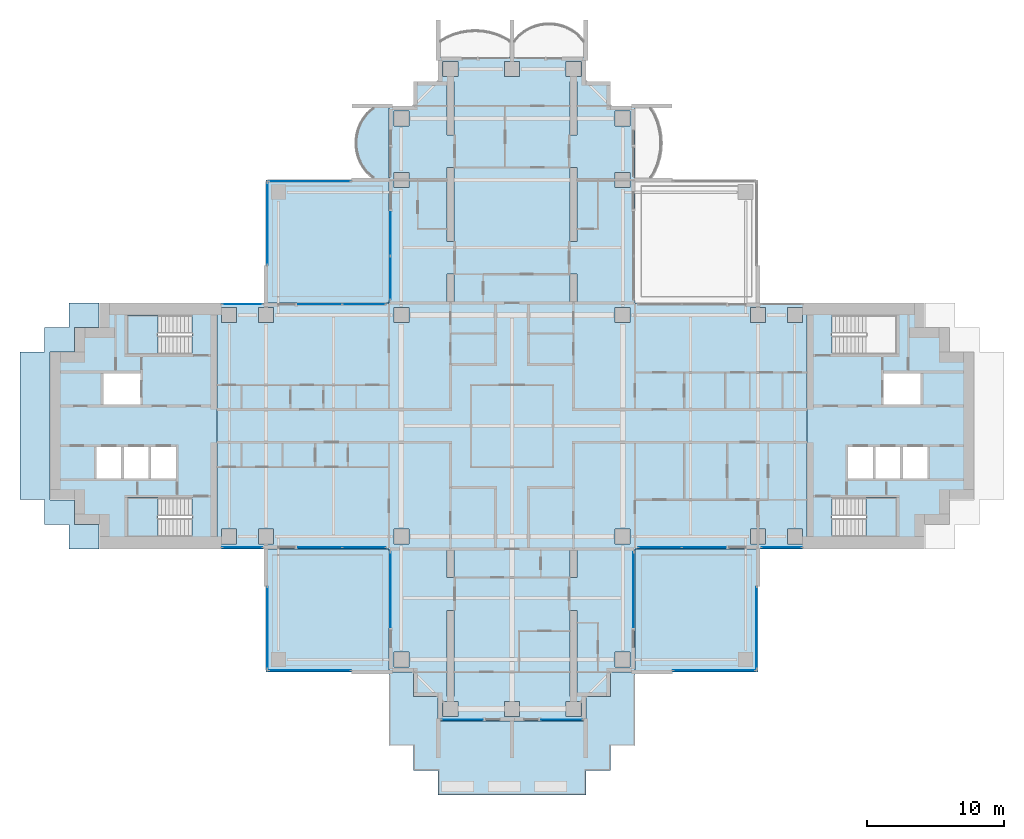
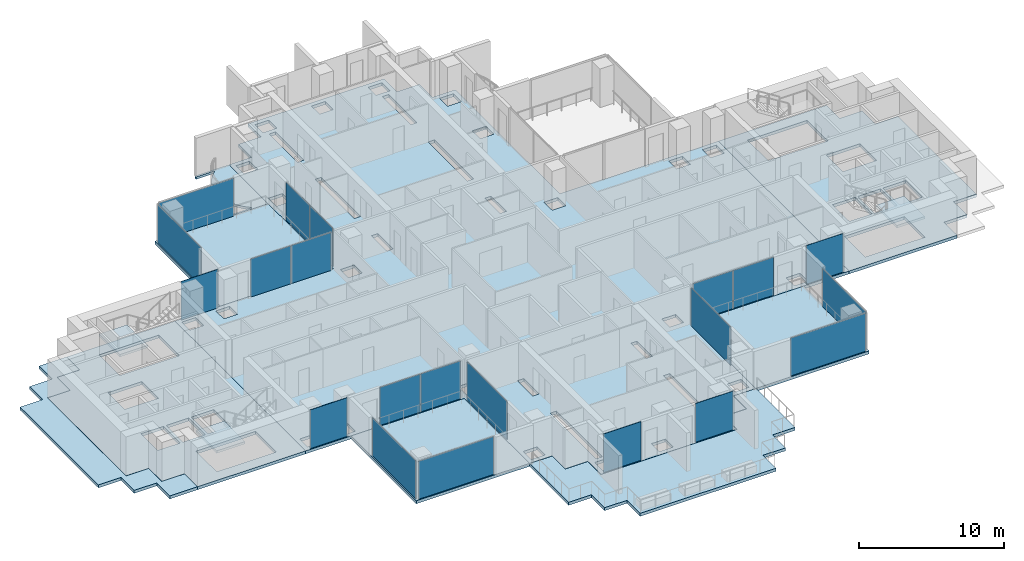
# One storey, part 8 of 20: 21 plates, 12 slabs, 20 elements without a shape of their own.
"""IFC4 building model written with IfcOpenShell, lengths in metres."""

from ifc_helpers import new_model, si_unit, direction, frame, origin, origin_2d, place, context, subcontext, project, spatial, polyline, rectangle, outline, extrude, material, layer, layer_set, type_object, element, aggregate, save


model = new_model("IFC4")

# Units and contexts
model_context = context("Model", 3, precision=1e-05, world=origin(), true_north=direction((0.0, 1.0)))
body_context = subcontext(model_context, "Body", "Model", "MODEL_VIEW")
ifc_project = project(units=[si_unit("LENGTHUNIT", "METRE"), si_unit("AREAUNIT", "SQUARE_METRE"), si_unit("VOLUMEUNIT", "CUBIC_METRE"), si_unit("PLANEANGLEUNIT", "RADIAN"), si_unit("MASSUNIT", "GRAM", prefix="KILO")], contexts=[model_context])

# Site, building, storey
site_placement = place(None, origin())
site = spatial("IfcSite", under=ifc_project, at=site_placement, CompositionType="ELEMENT")
building_placement = place(site_placement, origin())
building = spatial("IfcBuilding", under=site, at=building_placement, Name="Perihelion Cross Residences", CompositionType="ELEMENT")
storey_placement = place(building_placement, frame((0.0, 0.0, 102.39990234375)))
storey = spatial("IfcBuildingStorey", under=building, at=storey_placement, Name="L23", CompositionType="ELEMENT", Elevation=102.39990234375)

# Slab
ifc_material_1 = material(Name="Concrete C40/50", Category="concrete")
ifc_layer_1 = layer(ifc_material_1, 0.199951171875)
ifc_layer_set_1 = layer_set([ifc_layer_1], Name="Balcony slab 200")
slab_type_1 = type_object("IfcSlabType", Name="Balcony slab 200", PredefinedType="FLOOR", material=ifc_layer_set_1)
slab_1_placement = place(storey_placement, frame((0.0, 0.0, -0.199951171875)))
element("IfcSlab", 1, at=slab_1_placement, inside=storey, type_object=slab_type_1, Name="Slab BK1 L23 north side west bay 1 balcony", PredefinedType="FLOOR", context=body_context, shape_type="SweptSolid", body=[
    extrude(outline(polyline([(-9.0, 23.39990234375), (-9.0, 18.0), (-11.699951171875, 18.0), (-11.699951171875, 18.14990234375), (-10.199951171875, 18.14990234375), (-10.622314453125, 18.542236328125), (-10.924072265625, 18.9345703125), (-11.143310546875, 19.326904296875), (-11.29736328125, 19.71923828125), (-11.39599609375, 20.111572265625), (-11.444091796875, 20.50390625), (-11.444091796875, 20.896240234375), (-11.39599609375, 21.28857421875), (-11.29736328125, 21.6806640625), (-11.143310546875, 22.072998046875), (-10.924072265625, 22.46533203125), (-10.622314453125, 22.857666015625), (-10.199951171875, 23.25), (-11.699951171875, 23.25), (-11.699951171875, 23.39990234375), (-9.0, 23.39990234375)])), origin(), (0.0, 0.0, 1.0), 0.199951171875),
])

# Curtain wall, plates
ifc_material_2 = material(Name="Bronze anodised aluminium, tinted glazing", Category="aluminium")
curtain_wall_type_1 = type_object("IfcCurtainWallType", Name="CW1", PredefinedType="NOTDEFINED", material=ifc_material_2)
curtain_wall_1_placement = place(storey_placement, origin())
curtain_wall_1 = element("IfcCurtainWall", 2, at=curtain_wall_1_placement, inside=storey, type_object=curtain_wall_type_1, Name="Curtain wall CW1 L23 north side west bay 2", PredefinedType="NOTDEFINED")
ifc_material_3 = material(Name="Tinted laminated glass", Category="glass")
ifc_layer_2 = layer(ifc_material_3, 0.028076171875)
ifc_layer_set_2 = layer_set([ifc_layer_2], Name="CW1 panel")
plate_type_1 = type_object("IfcPlateType", Name="CW1 panel", PredefinedType="CURTAIN_PANEL", material=ifc_layer_set_2)
plate_1_placement = place(storey_placement, frame((-8.89990234375, 14.052490234375, 0.000244140625), z_axis=(0.0, 0.0, 1.0), x_axis=(0.0, -1.0, 0.0)))
plate_1 = element("IfcPlate", 3, at=plate_1_placement, type_object=plate_type_1, Name="CW1 panel 1", PredefinedType="CURTAIN_PANEL", context=body_context, shape_type="SweptSolid", body=[
    extrude(rectangle(XDim=3.195068359375, YDim=0.028076171875, at=origin_2d()), origin(), (0.0, 0.0, 1.0), 3.18994140625),
])
plate_2_placement = place(storey_placement, frame((-8.89990234375, 10.827392578125, 0.000244140625), z_axis=(0.0, 0.0, 1.0), x_axis=(0.0, -1.0, 0.0)))
plate_2 = element("IfcPlate", 4, at=plate_2_placement, type_object=plate_type_1, Name="CW1 panel 2", PredefinedType="CURTAIN_PANEL", context=body_context, shape_type="SweptSolid", body=[
    extrude(rectangle(XDim=3.135009765625, YDim=0.028076171875, at=origin_2d()), origin(), (0.0, 0.0, 1.0), 3.18994140625),
])
aggregate(curtain_wall_1, [plate_1, plate_2])

curtain_wall_2_placement = place(storey_placement, origin())
curtain_wall_2 = element("IfcCurtainWall", 5, at=curtain_wall_2_placement, inside=storey, type_object=curtain_wall_type_1, Name="Curtain wall CW1 L23 west side north bay 1", PredefinedType="NOTDEFINED")
plate_3_placement = place(storey_placement, frame((-10.827392578125, 8.89990234375, 0.000244140625), z_axis=(0.0, 0.0, 1.0), x_axis=(-1.0, 0.0, 0.0)))
plate_3 = element("IfcPlate", 6, at=plate_3_placement, type_object=plate_type_1, Name="CW1 panel 1", PredefinedType="CURTAIN_PANEL", context=body_context, shape_type="SweptSolid", body=[
    extrude(rectangle(XDim=3.135009765625, YDim=0.028076171875, at=origin_2d()), origin(), (0.0, 0.0, 1.0), 3.18994140625),
])
plate_4_placement = place(storey_placement, frame((-14.052490234375, 8.89990234375, 0.000244140625), z_axis=(0.0, 0.0, 1.0), x_axis=(-1.0, 0.0, 0.0)))
plate_4 = element("IfcPlate", 7, at=plate_4_placement, type_object=plate_type_1, Name="CW1 panel 2", PredefinedType="CURTAIN_PANEL", context=body_context, shape_type="SweptSolid", body=[
    extrude(rectangle(XDim=3.195068359375, YDim=0.028076171875, at=origin_2d()), origin(), (0.0, 0.0, 1.0), 3.18994140625),
])
aggregate(curtain_wall_2, [plate_3, plate_4])

# Curtain wall, plate
curtain_wall_3_placement = place(storey_placement, origin())
curtain_wall_3 = element("IfcCurtainWall", 8, at=curtain_wall_3_placement, inside=storey, type_object=curtain_wall_type_1, Name="Curtain wall CW1 L23 west side north bay 2", PredefinedType="NOTDEFINED")
plate_5_placement = place(storey_placement, frame((-19.72509765625, 8.89990234375, 0.0), z_axis=(0.0, 0.0, 1.0), x_axis=(-1.0, 0.0, 0.0)))
plate_5 = element("IfcPlate", 9, at=plate_5_placement, type_object=plate_type_1, Name="CW1 panel 1", PredefinedType="CURTAIN_PANEL", context=body_context, shape_type="SweptSolid", body=[
    extrude(rectangle(XDim=2.929931640625, YDim=0.028076171875, at=origin_2d()), origin(), (0.0, 0.0, 1.0), 3.25),
])
aggregate(curtain_wall_3, [plate_5])

curtain_wall_4_placement = place(storey_placement, origin())
curtain_wall_4 = element("IfcCurtainWall", 10, at=curtain_wall_4_placement, inside=storey, type_object=curtain_wall_type_1, Name="Curtain wall CW1 L23 west side south bay 1", PredefinedType="NOTDEFINED")
plate_6_placement = place(storey_placement, frame((-19.72509765625, -8.89990234375, 0.0), z_axis=(0.0, 0.0, 1.0), x_axis=(1.0, 0.0, 0.0)))
plate_6 = element("IfcPlate", 11, at=plate_6_placement, type_object=plate_type_1, Name="CW1 panel 1", PredefinedType="CURTAIN_PANEL", context=body_context, shape_type="SweptSolid", body=[
    extrude(rectangle(XDim=2.929931640625, YDim=0.028076171875, at=origin_2d()), origin(), (0.0, 0.0, 1.0), 3.25),
])
aggregate(curtain_wall_4, [plate_6])

# Curtain wall, plates
curtain_wall_5_placement = place(storey_placement, origin())
curtain_wall_5 = element("IfcCurtainWall", 12, at=curtain_wall_5_placement, inside=storey, type_object=curtain_wall_type_1, Name="Curtain wall CW1 L23 west side south bay 2", PredefinedType="NOTDEFINED")
plate_7_placement = place(storey_placement, frame((-14.052490234375, -8.89990234375, 0.000244140625), z_axis=(0.0, 0.0, 1.0), x_axis=(1.0, 0.0, 0.0)))
plate_7 = element("IfcPlate", 13, at=plate_7_placement, type_object=plate_type_1, Name="CW1 panel 1", PredefinedType="CURTAIN_PANEL", context=body_context, shape_type="SweptSolid", body=[
    extrude(rectangle(XDim=3.195068359375, YDim=0.028076171875, at=origin_2d()), origin(), (0.0, 0.0, 1.0), 3.18994140625),
])
plate_8_placement = place(storey_placement, frame((-10.827392578125, -8.89990234375, 0.000244140625), z_axis=(0.0, 0.0, 1.0), x_axis=(1.0, 0.0, 0.0)))
plate_8 = element("IfcPlate", 14, at=plate_8_placement, type_object=plate_type_1, Name="CW1 panel 2", PredefinedType="CURTAIN_PANEL", context=body_context, shape_type="SweptSolid", body=[
    extrude(rectangle(XDim=3.135009765625, YDim=0.028076171875, at=origin_2d()), origin(), (0.0, 0.0, 1.0), 3.18994140625),
])
aggregate(curtain_wall_5, [plate_7, plate_8])

# Curtain wall, plate
curtain_wall_6_placement = place(storey_placement, origin())
curtain_wall_6 = element("IfcCurtainWall", 15, at=curtain_wall_6_placement, inside=storey, type_object=curtain_wall_type_1, Name="Curtain wall CW1 L23 south side west bay 1", PredefinedType="NOTDEFINED")
plate_9_placement = place(storey_placement, frame((-8.89990234375, -12.0048828125, 0.000244140625), z_axis=(0.0, 0.0, 1.0), x_axis=(0.0, -1.0, 0.0)))
plate_9 = element("IfcPlate", 16, at=plate_9_placement, type_object=plate_type_1, Name="CW1 panel 1", PredefinedType="CURTAIN_PANEL", context=body_context, shape_type="SweptSolid", body=[
    extrude(rectangle(XDim=5.489990234375, YDim=0.028076171875, at=origin_2d()), origin(), (0.0, 0.0, 1.0), 3.18994140625),
])
aggregate(curtain_wall_6, [plate_9])

curtain_wall_7_placement = place(storey_placement, origin())
curtain_wall_7 = element("IfcCurtainWall", 17, at=curtain_wall_7_placement, inside=storey, type_object=curtain_wall_type_1, Name="Curtain wall CW1 L23 south tip south bay 1", PredefinedType="NOTDEFINED")
plate_10_placement = place(storey_placement, frame((-3.64501953125, -21.5, 0.0), z_axis=(0.0, 0.0, 1.0), x_axis=(1.0, 0.0, 0.0)))
plate_10 = element("IfcPlate", 18, at=plate_10_placement, type_object=plate_type_1, Name="CW1 panel 1", PredefinedType="CURTAIN_PANEL", context=body_context, shape_type="SweptSolid", body=[
    extrude(rectangle(XDim=2.989990234375, YDim=0.028076171875, at=origin_2d()), origin(), (0.0, 0.0, 1.0), 3.25),
])
aggregate(curtain_wall_7, [plate_10])

curtain_wall_8_placement = place(storey_placement, origin())
curtain_wall_8 = element("IfcCurtainWall", 19, at=curtain_wall_8_placement, inside=storey, type_object=curtain_wall_type_1, Name="Curtain wall CW1 L23 south tip south bay 2", PredefinedType="NOTDEFINED")
plate_11_placement = place(storey_placement, frame((3.64501953125, -21.5, 0.0), z_axis=(0.0, 0.0, 1.0), x_axis=(1.0, 0.0, 0.0)))
plate_11 = element("IfcPlate", 20, at=plate_11_placement, type_object=plate_type_1, Name="CW1 panel 1", PredefinedType="CURTAIN_PANEL", context=body_context, shape_type="SweptSolid", body=[
    extrude(rectangle(XDim=2.989990234375, YDim=0.028076171875, at=origin_2d()), origin(), (0.0, 0.0, 1.0), 3.25),
])
aggregate(curtain_wall_8, [plate_11])

curtain_wall_9_placement = place(storey_placement, origin())
curtain_wall_9 = element("IfcCurtainWall", 21, at=curtain_wall_9_placement, inside=storey, type_object=curtain_wall_type_1, Name="Curtain wall CW1 L23 south side east bay 1", PredefinedType="NOTDEFINED")
plate_12_placement = place(storey_placement, frame((8.89990234375, -12.0048828125, 0.000244140625), z_axis=(0.0, 0.0, 1.0), x_axis=(0.0, 1.0, 0.0)))
plate_12 = element("IfcPlate", 22, at=plate_12_placement, type_object=plate_type_1, Name="CW1 panel 1", PredefinedType="CURTAIN_PANEL", context=body_context, shape_type="SweptSolid", body=[
    extrude(rectangle(XDim=5.489990234375, YDim=0.028076171875, at=origin_2d()), origin(), (0.0, 0.0, 1.0), 3.18994140625),
])
aggregate(curtain_wall_9, [plate_12])

# Curtain wall, plates
curtain_wall_10_placement = place(storey_placement, origin())
curtain_wall_10 = element("IfcCurtainWall", 23, at=curtain_wall_10_placement, inside=storey, type_object=curtain_wall_type_1, Name="Curtain wall CW1 L23 east side south bay 1", PredefinedType="NOTDEFINED")
plate_13_placement = place(storey_placement, frame((10.827392578125, -8.89990234375, 0.000244140625), z_axis=(0.0, 0.0, 1.0), x_axis=(1.0, 0.0, 0.0)))
plate_13 = element("IfcPlate", 24, at=plate_13_placement, type_object=plate_type_1, Name="CW1 panel 1", PredefinedType="CURTAIN_PANEL", context=body_context, shape_type="SweptSolid", body=[
    extrude(rectangle(XDim=3.135009765625, YDim=0.028076171875, at=origin_2d()), origin(), (0.0, 0.0, 1.0), 3.18994140625),
])
plate_14_placement = place(storey_placement, frame((14.052490234375, -8.89990234375, 0.000244140625), z_axis=(0.0, 0.0, 1.0), x_axis=(1.0, 0.0, 0.0)))
plate_14 = element("IfcPlate", 25, at=plate_14_placement, type_object=plate_type_1, Name="CW1 panel 2", PredefinedType="CURTAIN_PANEL", context=body_context, shape_type="SweptSolid", body=[
    extrude(rectangle(XDim=3.195068359375, YDim=0.028076171875, at=origin_2d()), origin(), (0.0, 0.0, 1.0), 3.18994140625),
])
aggregate(curtain_wall_10, [plate_13, plate_14])

# Curtain wall, plate
curtain_wall_11_placement = place(storey_placement, origin())
curtain_wall_11 = element("IfcCurtainWall", 26, at=curtain_wall_11_placement, inside=storey, type_object=curtain_wall_type_1, Name="Curtain wall CW1 L23 east side south bay 2", PredefinedType="NOTDEFINED")
plate_15_placement = place(storey_placement, frame((19.72509765625, -8.89990234375, 0.0), z_axis=(0.0, 0.0, 1.0), x_axis=(1.0, 0.0, 0.0)))
plate_15 = element("IfcPlate", 27, at=plate_15_placement, type_object=plate_type_1, Name="CW1 panel 1", PredefinedType="CURTAIN_PANEL", context=body_context, shape_type="SweptSolid", body=[
    extrude(rectangle(XDim=2.929931640625, YDim=0.028076171875, at=origin_2d()), origin(), (0.0, 0.0, 1.0), 3.25),
])
aggregate(curtain_wall_11, [plate_15])

ifc_material_4 = material(Name="Bronze anodised aluminium, tinted glazing", Category="aluminium")
curtain_wall_type_2 = type_object("IfcCurtainWallType", Name="CW4", PredefinedType="NOTDEFINED", material=ifc_material_4)
curtain_wall_12_placement = place(storey_placement, origin())
curtain_wall_12 = element("IfcCurtainWall", 28, at=curtain_wall_12_placement, inside=storey, type_object=curtain_wall_type_2, Name="Curtain wall CW4 L23 pocket north-west 1 1", PredefinedType="NOTDEFINED")
ifc_material_5 = material(Name="Tinted laminated glass", Category="glass")
ifc_layer_3 = layer(ifc_material_5, 0.030029296875)
ifc_layer_set_3 = layer_set([ifc_layer_3], Name="CW4 panel")
plate_type_2 = type_object("IfcPlateType", Name="CW4 panel", PredefinedType="CURTAIN_PANEL", material=ifc_layer_set_3)
plate_16_placement = place(storey_placement, frame((-17.89990234375, 14.784912109375, 0.000244140625), z_axis=(0.0, 0.0, 1.0), x_axis=(0.0, 1.0, 0.0)))
plate_16 = element("IfcPlate", 29, at=plate_16_placement, type_object=plate_type_2, Name="CW4 panel 1", PredefinedType="CURTAIN_PANEL", context=body_context, shape_type="SweptSolid", body=[
    extrude(rectangle(XDim=5.969970703125, YDim=0.030029296875, at=origin_2d()), origin(), (0.0, 0.0, 1.0), 3.18994140625),
])
aggregate(curtain_wall_12, [plate_16])

curtain_wall_13_placement = place(storey_placement, origin())
curtain_wall_13 = element("IfcCurtainWall", 30, at=curtain_wall_13_placement, inside=storey, type_object=curtain_wall_type_2, Name="Curtain wall CW4 L23 pocket north-west 1 2", PredefinedType="NOTDEFINED")
plate_17_placement = place(storey_placement, frame((-14.784912109375, 17.89990234375, 0.000244140625), z_axis=(0.0, 0.0, 1.0), x_axis=(1.0, 0.0, 0.0)))
plate_17 = element("IfcPlate", 31, at=plate_17_placement, type_object=plate_type_2, Name="CW4 panel 1", PredefinedType="CURTAIN_PANEL", context=body_context, shape_type="SweptSolid", body=[
    extrude(rectangle(XDim=5.969970703125, YDim=0.030029296875, at=origin_2d()), origin(), (0.0, 0.0, 1.0), 3.18994140625),
])
aggregate(curtain_wall_13, [plate_17])

curtain_wall_14_placement = place(storey_placement, origin())
curtain_wall_14 = element("IfcCurtainWall", 32, at=curtain_wall_14_placement, inside=storey, type_object=curtain_wall_type_2, Name="Curtain wall CW4 L23 pocket south-east 1 1", PredefinedType="NOTDEFINED")
plate_18_placement = place(storey_placement, frame((17.89990234375, -14.784912109375, 0.000244140625), z_axis=(0.0, 0.0, 1.0), x_axis=(0.0, -1.0, 0.0)))
plate_18 = element("IfcPlate", 33, at=plate_18_placement, type_object=plate_type_2, Name="CW4 panel 1", PredefinedType="CURTAIN_PANEL", context=body_context, shape_type="SweptSolid", body=[
    extrude(rectangle(XDim=5.969970703125, YDim=0.030029296875, at=origin_2d()), origin(), (0.0, 0.0, 1.0), 3.18994140625),
])
aggregate(curtain_wall_14, [plate_18])

curtain_wall_15_placement = place(storey_placement, origin())
curtain_wall_15 = element("IfcCurtainWall", 34, at=curtain_wall_15_placement, inside=storey, type_object=curtain_wall_type_2, Name="Curtain wall CW4 L23 pocket south-east 1 2", PredefinedType="NOTDEFINED")
plate_19_placement = place(storey_placement, frame((14.784912109375, -17.89990234375, 0.000244140625), z_axis=(0.0, 0.0, 1.0), x_axis=(-1.0, 0.0, 0.0)))
plate_19 = element("IfcPlate", 35, at=plate_19_placement, type_object=plate_type_2, Name="CW4 panel 1", PredefinedType="CURTAIN_PANEL", context=body_context, shape_type="SweptSolid", body=[
    extrude(rectangle(XDim=5.969970703125, YDim=0.030029296875, at=origin_2d()), origin(), (0.0, 0.0, 1.0), 3.18994140625),
])
aggregate(curtain_wall_15, [plate_19])

curtain_wall_16_placement = place(storey_placement, origin())
curtain_wall_16 = element("IfcCurtainWall", 36, at=curtain_wall_16_placement, inside=storey, type_object=curtain_wall_type_2, Name="Curtain wall CW4 L23 pocket south-west 1 1", PredefinedType="NOTDEFINED")
plate_20_placement = place(storey_placement, frame((-14.784912109375, -17.89990234375, 0.000244140625), z_axis=(0.0, 0.0, 1.0), x_axis=(-1.0, 0.0, 0.0)))
plate_20 = element("IfcPlate", 37, at=plate_20_placement, type_object=plate_type_2, Name="CW4 panel 1", PredefinedType="CURTAIN_PANEL", context=body_context, shape_type="SweptSolid", body=[
    extrude(rectangle(XDim=5.969970703125, YDim=0.030029296875, at=origin_2d()), origin(), (0.0, 0.0, 1.0), 3.18994140625),
])
aggregate(curtain_wall_16, [plate_20])

curtain_wall_17_placement = place(storey_placement, origin())
curtain_wall_17 = element("IfcCurtainWall", 38, at=curtain_wall_17_placement, inside=storey, type_object=curtain_wall_type_2, Name="Curtain wall CW4 L23 pocket south-west 1 2", PredefinedType="NOTDEFINED")
plate_21_placement = place(storey_placement, frame((-17.89990234375, -14.784912109375, 0.000244140625), z_axis=(0.0, 0.0, 1.0), x_axis=(0.0, 1.0, 0.0)))
plate_21 = element("IfcPlate", 39, at=plate_21_placement, type_object=plate_type_2, Name="CW4 panel 1", PredefinedType="CURTAIN_PANEL", context=body_context, shape_type="SweptSolid", body=[
    extrude(rectangle(XDim=5.969970703125, YDim=0.030029296875, at=origin_2d()), origin(), (0.0, 0.0, 1.0), 3.18994140625),
])
aggregate(curtain_wall_17, [plate_21])

# Slabs
ifc_material_6 = material(Name="Concrete C40/50", Category="concrete")
ifc_layer_4 = layer(ifc_material_6, 0.25)
ifc_layer_set_4 = layer_set([ifc_layer_4], Name="Core floor slab 250")
slab_type_2 = type_object("IfcSlabType", Name="Core floor slab 250", PredefinedType="FLOOR", material=ifc_layer_set_4)
slab_2_placement = place(storey_placement, frame((0.0, 0.0, -0.25)))
element("IfcSlab", 40, at=slab_2_placement, inside=storey, type_object=slab_type_2, Name="East core floor slab", PredefinedType="FLOOR", context=body_context, shape_type="SweptSolid", body=[
    extrude(outline(polyline([(30.199951171875, 7.199951171875), (32.0, 7.199951171875), (32.0, 5.39990234375), (33.800048828125, 5.39990234375), (33.800048828125, -5.39990234375), (32.0, -5.39990234375), (32.0, -7.199951171875), (30.199951171875, -7.199951171875), (30.199951171875, -9.0), (21.60009765625, -9.0), (21.60009765625, 9.0), (30.199951171875, 9.0), (30.199951171875, 7.199951171875)]), holes=[polyline([(28.14990234375, -8.10009765625), (28.14990234375, -5.25), (23.405029296875, -5.25), (23.405029296875, -8.10009765625), (28.14990234375, -8.10009765625)]), polyline([(24.60009765625, -1.550048828125), (24.60009765625, -3.85009765625), (26.39990234375, -3.85009765625), (26.39990234375, -1.550048828125), (24.60009765625, -1.550048828125)]), polyline([(26.60009765625, -1.550048828125), (26.60009765625, -3.85009765625), (28.39990234375, -3.85009765625), (28.39990234375, -1.550048828125), (26.60009765625, -1.550048828125)]), polyline([(28.60009765625, -3.85009765625), (30.39990234375, -3.85009765625), (30.39990234375, -1.550048828125), (28.60009765625, -1.550048828125), (28.60009765625, -3.85009765625)]), polyline([(27.199951171875, 3.85009765625), (27.199951171875, 1.550048828125), (29.89990234375, 1.550048828125), (29.89990234375, 3.85009765625), (27.199951171875, 3.85009765625)]), polyline([(23.405029296875, 5.25), (28.14990234375, 5.25), (28.14990234375, 8.10009765625), (23.405029296875, 8.10009765625), (23.405029296875, 5.25)])]), origin(), (0.0, 0.0, 1.0), 0.25),
])
slab_3_placement = place(storey_placement, frame((0.0, 0.0, -0.25)))
element("IfcSlab", 41, at=slab_3_placement, inside=storey, type_object=slab_type_2, Name="West core floor slab", PredefinedType="FLOOR", context=body_context, shape_type="SweptSolid", body=[
    extrude(outline(polyline([(-30.199951171875, 7.199951171875), (-32.0, 7.199951171875), (-32.0, 5.39990234375), (-33.800048828125, 5.39990234375), (-33.800048828125, -5.39990234375), (-32.0, -5.39990234375), (-32.0, -7.199951171875), (-30.199951171875, -7.199951171875), (-30.199951171875, -9.0), (-21.60009765625, -9.0), (-21.60009765625, 9.0), (-30.199951171875, 9.0), (-30.199951171875, 7.199951171875)]), holes=[polyline([(-28.14990234375, -8.10009765625), (-28.14990234375, -5.25), (-23.405029296875, -5.25), (-23.405029296875, -8.10009765625), (-28.14990234375, -8.10009765625)]), polyline([(-24.60009765625, -1.550048828125), (-24.60009765625, -3.85009765625), (-26.39990234375, -3.85009765625), (-26.39990234375, -1.550048828125), (-24.60009765625, -1.550048828125)]), polyline([(-26.60009765625, -1.550048828125), (-26.60009765625, -3.85009765625), (-28.39990234375, -3.85009765625), (-28.39990234375, -1.550048828125), (-26.60009765625, -1.550048828125)]), polyline([(-28.60009765625, -3.85009765625), (-30.39990234375, -3.85009765625), (-30.39990234375, -1.550048828125), (-28.60009765625, -1.550048828125), (-28.60009765625, -3.85009765625)]), polyline([(-27.199951171875, 3.85009765625), (-27.199951171875, 1.550048828125), (-29.89990234375, 1.550048828125), (-29.89990234375, 3.85009765625), (-27.199951171875, 3.85009765625)]), polyline([(-23.405029296875, 5.25), (-28.14990234375, 5.25), (-28.14990234375, 8.10009765625), (-23.405029296875, 8.10009765625), (-23.405029296875, 5.25)])]), origin(), (0.0, 0.0, 1.0), 0.25),
])
ifc_material_7 = material(Name="Concrete C40/50", Category="concrete")
ifc_layer_5 = layer(ifc_material_7, 0.25)
ifc_layer_set_5 = layer_set([ifc_layer_5], Name="Core roof slab 250")
slab_type_3 = type_object("IfcSlabType", Name="Core roof slab 250", PredefinedType="ROOF", material=ifc_layer_set_5)
slab_4_placement = place(storey_placement, frame((0.0, 0.0, -0.25)))
element("IfcSlab", 42, at=slab_4_placement, inside=storey, type_object=slab_type_3, Name="West core roof over the tip", PredefinedType="ROOF", context=body_context, shape_type="SweptSolid", body=[
    extrude(outline(polyline([(-32.39990234375, 7.199951171875), (-34.199951171875, 7.199951171875), (-34.199951171875, 5.39990234375), (-36.0, 5.39990234375), (-36.0, -5.39990234375), (-34.199951171875, -5.39990234375), (-34.199951171875, -7.199951171875), (-32.39990234375, -7.199951171875), (-32.39990234375, -9.0), (-30.2099609375, -9.0), (-30.2099609375, -7.2099609375), (-32.010009765625, -7.2099609375), (-32.010009765625, -5.409912109375), (-33.81005859375, -5.409912109375), (-33.81005859375, 5.409912109375), (-32.010009765625, 5.409912109375), (-32.010009765625, 7.2099609375), (-30.2099609375, 7.2099609375), (-30.2099609375, 9.0), (-32.39990234375, 9.0), (-32.39990234375, 7.199951171875)])), origin(), (0.0, 0.0, 1.0), 0.25),
])

# Stair, slab
ifc_material_8 = material(Name="Concrete C40/50", Category="concrete")
stair_type = type_object("IfcStairType", Name="Exit stair, half-turn", PredefinedType="HALF_TURN_STAIR", material=ifc_material_8)
stair_1_placement = place(storey_placement, origin())
stair_1 = element("IfcStair", 43, at=stair_1_placement, inside=storey, type_object=stair_type, Name="L23 East core exit stair 2", PredefinedType="HALF_TURN_STAIR")
ifc_material_9 = material(Name="Concrete C40/50", Category="concrete")
ifc_layer_6 = layer(ifc_material_9, 0.199951171875)
ifc_layer_set_6 = layer_set([ifc_layer_6], Name="Exit stair landing 200")
slab_type_4 = type_object("IfcSlabType", Name="Exit stair landing 200", PredefinedType="LANDING", material=ifc_layer_set_6)
slab_5_placement = place(storey_placement, frame((0.0, 0.0, 1.550048828125)))
slab_5 = element("IfcSlab", 44, at=slab_5_placement, type_object=slab_type_4, Name="ST-E2 landing 1", PredefinedType="LANDING", context=body_context, shape_type="SweptSolid", body=[
    extrude(outline(polyline([(25.919921875, -8.10009765625), (28.14990234375, -8.10009765625), (28.14990234375, -5.25), (25.919921875, -5.25), (25.919921875, -8.10009765625)])), origin(), (0.0, 0.0, 1.0), 0.199951171875),
])
aggregate(stair_1, [slab_5])

stair_2_placement = place(storey_placement, origin())
stair_2 = element("IfcStair", 45, at=stair_2_placement, inside=storey, type_object=stair_type, Name="L23 West core exit stair 1", PredefinedType="HALF_TURN_STAIR")
slab_6_placement = place(storey_placement, frame((0.0, 0.0, 1.550048828125)))
slab_6 = element("IfcSlab", 46, at=slab_6_placement, type_object=slab_type_4, Name="ST-W1 landing 1", PredefinedType="LANDING", context=body_context, shape_type="SweptSolid", body=[
    extrude(outline(polyline([(-25.919921875, 8.10009765625), (-28.14990234375, 8.10009765625), (-28.14990234375, 5.25), (-25.919921875, 5.25), (-25.919921875, 8.10009765625)])), origin(), (0.0, 0.0, 1.0), 0.199951171875),
])
aggregate(stair_2, [slab_6])

stair_3_placement = place(storey_placement, origin())
stair_3 = element("IfcStair", 47, at=stair_3_placement, inside=storey, type_object=stair_type, Name="L23 West core exit stair 2", PredefinedType="HALF_TURN_STAIR")
slab_7_placement = place(storey_placement, frame((0.0, 0.0, 1.550048828125)))
slab_7 = element("IfcSlab", 48, at=slab_7_placement, type_object=slab_type_4, Name="ST-W2 landing 1", PredefinedType="LANDING", context=body_context, shape_type="SweptSolid", body=[
    extrude(outline(polyline([(-25.919921875, -5.25), (-28.14990234375, -5.25), (-28.14990234375, -8.10009765625), (-25.919921875, -8.10009765625), (-25.919921875, -5.25)])), origin(), (0.0, 0.0, 1.0), 0.199951171875),
])
aggregate(stair_3, [slab_7])

# Slabs
ifc_material_10 = material(Name="Concrete C50/60", Category="concrete")
ifc_layer_7 = layer(ifc_material_10, 0.25)
ifc_layer_set_7 = layer_set([ifc_layer_7], Name="Residential floor post-tensioned slab concrete C50/60")
slab_type_5 = type_object("IfcSlabType", Name="Residential floor post-tensioned slab concrete C50/60", PredefinedType="FLOOR", material=ifc_layer_set_7)
slab_8_placement = place(storey_placement, frame((0.0, 0.0, -0.25)))
element("IfcSlab", 49, at=slab_8_placement, inside=storey, type_object=slab_type_5, Name="Slab SL8 L23 1 no. 1", PredefinedType="FLOOR", context=body_context, shape_type="SweptSolid", body=[
    extrude(outline(polyline([(-9.0, 9.0), (-9.0, 23.39990234375), (-7.199951171875, 23.39990234375), (-7.199951171875, 25.199951171875), (-5.39990234375, 25.199951171875), (-5.39990234375, 27.0), (5.39990234375, 27.0), (5.39990234375, 25.199951171875), (7.199951171875, 25.199951171875), (7.199951171875, 23.39990234375), (9.0, 23.39990234375), (9.0, 9.0), (21.60009765625, 9.0), (21.60009765625, -9.0), (9.0, -9.0), (9.0, -18.0), (7.199951171875, -18.0), (7.199951171875, -19.800048828125), (5.39990234375, -19.800048828125), (5.39990234375, -21.60009765625), (-5.39990234375, -21.60009765625), (-5.39990234375, -19.800048828125), (-7.199951171875, -19.800048828125), (-7.199951171875, -18.0), (-9.0, -18.0), (-9.0, -9.0), (-21.60009765625, -9.0), (-21.60009765625, 9.0), (-9.0, 9.0)]), holes=[polyline([(0.550048828125, -21.25), (0.550048828125, -20.14990234375), (-0.550048828125, -20.14990234375), (-0.550048828125, -21.25), (0.550048828125, -21.25)]), polyline([(-3.949951171875, -21.25), (-3.949951171875, -20.14990234375), (-5.050048828125, -20.14990234375), (-5.050048828125, -21.25), (-3.949951171875, -21.25)]), polyline([(-7.550048828125, -17.64990234375), (-7.550048828125, -16.550048828125), (-8.64990234375, -16.550048828125), (-8.64990234375, -17.64990234375), (-7.550048828125, -17.64990234375)]), polyline([(-4.25, -19.800048828125), (-4.25, -13.5), (-4.75, -13.5), (-4.75, -19.800048828125), (-4.25, -19.800048828125)]), polyline([(-4.25, -11.10009765625), (-4.25, -9.0), (-4.75, -9.0), (-4.75, -11.10009765625), (-4.25, -11.10009765625)]), polyline([(-7.550048828125, -8.64990234375), (-7.550048828125, -7.550048828125), (-8.64990234375, -7.550048828125), (-8.64990234375, -8.64990234375), (-7.550048828125, -8.64990234375)]), polyline([(-18.550048828125, -8.64990234375), (-17.449951171875, -8.64990234375), (-17.449951171875, -7.550048828125), (-18.550048828125, -7.550048828125), (-18.550048828125, -8.64990234375)]), polyline([(-21.25, -8.64990234375), (-20.14990234375, -8.64990234375), (-20.14990234375, -7.550048828125), (-21.25, -7.550048828125), (-21.25, -8.64990234375)]), polyline([(-17.449951171875, 7.550048828125), (-17.449951171875, 8.64990234375), (-18.550048828125, 8.64990234375), (-18.550048828125, 7.550048828125), (-17.449951171875, 7.550048828125)]), polyline([(-7.550048828125, 7.550048828125), (-7.550048828125, 8.64990234375), (-8.64990234375, 8.64990234375), (-8.64990234375, 7.550048828125), (-7.550048828125, 7.550048828125)]), polyline([(-20.14990234375, 7.550048828125), (-20.14990234375, 8.64990234375), (-21.25, 8.64990234375), (-21.25, 7.550048828125), (-20.14990234375, 7.550048828125)]), polyline([(-4.25, 9.0), (-4.25, 11.10009765625), (-4.75, 11.10009765625), (-4.75, 9.0), (-4.25, 9.0)]), polyline([(-4.25, 13.5), (-4.25, 18.89990234375), (-4.75, 18.89990234375), (-4.75, 13.5), (-4.25, 13.5)]), polyline([(-7.550048828125, 17.449951171875), (-7.550048828125, 18.550048828125), (-8.64990234375, 18.550048828125), (-8.64990234375, 17.449951171875), (-7.550048828125, 17.449951171875)]), polyline([(-8.64990234375, 21.949951171875), (-7.550048828125, 21.949951171875), (-7.550048828125, 23.050048828125), (-8.64990234375, 23.050048828125), (-8.64990234375, 21.949951171875)]), polyline([(-4.75, 21.300048828125), (-4.25, 21.300048828125), (-4.25, 25.199951171875), (-4.75, 25.199951171875), (-4.75, 21.300048828125)]), polyline([(-3.949951171875, 25.550048828125), (-3.949951171875, 26.64990234375), (-5.050048828125, 26.64990234375), (-5.050048828125, 25.550048828125), (-3.949951171875, 25.550048828125)]), polyline([(5.050048828125, -21.25), (5.050048828125, -20.14990234375), (3.949951171875, -20.14990234375), (3.949951171875, -21.25), (5.050048828125, -21.25)]), polyline([(8.64990234375, -17.64990234375), (8.64990234375, -16.550048828125), (7.550048828125, -16.550048828125), (7.550048828125, -17.64990234375), (8.64990234375, -17.64990234375)]), polyline([(4.75, -19.800048828125), (4.75, -13.5), (4.25, -13.5), (4.25, -19.800048828125), (4.75, -19.800048828125)]), polyline([(4.75, -11.10009765625), (4.75, -9.0), (4.25, -9.0), (4.25, -11.10009765625), (4.75, -11.10009765625)]), polyline([(8.64990234375, -8.64990234375), (8.64990234375, -7.550048828125), (7.550048828125, -7.550048828125), (7.550048828125, -8.64990234375), (8.64990234375, -8.64990234375)]), polyline([(18.550048828125, -8.64990234375), (18.550048828125, -7.550048828125), (17.449951171875, -7.550048828125), (17.449951171875, -8.64990234375), (18.550048828125, -8.64990234375)]), polyline([(20.14990234375, -8.64990234375), (21.25, -8.64990234375), (21.25, -7.550048828125), (20.14990234375, -7.550048828125), (20.14990234375, -8.64990234375)]), polyline([(8.64990234375, 7.550048828125), (8.64990234375, 8.64990234375), (7.550048828125, 8.64990234375), (7.550048828125, 7.550048828125), (8.64990234375, 7.550048828125)]), polyline([(18.550048828125, 7.550048828125), (18.550048828125, 8.64990234375), (17.449951171875, 8.64990234375), (17.449951171875, 7.550048828125), (18.550048828125, 7.550048828125)]), polyline([(21.25, 7.550048828125), (21.25, 8.64990234375), (20.14990234375, 8.64990234375), (20.14990234375, 7.550048828125), (21.25, 7.550048828125)]), polyline([(4.25, 9.0), (4.75, 9.0), (4.75, 11.10009765625), (4.25, 11.10009765625), (4.25, 9.0)]), polyline([(4.25, 13.5), (4.75, 13.5), (4.75, 18.89990234375), (4.25, 18.89990234375), (4.25, 13.5)]), polyline([(8.64990234375, 17.449951171875), (8.64990234375, 18.550048828125), (7.550048828125, 18.550048828125), (7.550048828125, 17.449951171875), (8.64990234375, 17.449951171875)]), polyline([(8.64990234375, 21.949951171875), (8.64990234375, 23.050048828125), (7.550048828125, 23.050048828125), (7.550048828125, 21.949951171875), (8.64990234375, 21.949951171875)]), polyline([(4.75, 21.300048828125), (4.75, 25.199951171875), (4.25, 25.199951171875), (4.25, 21.300048828125), (4.75, 21.300048828125)]), polyline([(3.949951171875, 25.550048828125), (5.050048828125, 25.550048828125), (5.050048828125, 26.64990234375), (3.949951171875, 26.64990234375), (3.949951171875, 25.550048828125)]), polyline([(-0.550048828125, 25.550048828125), (0.550048828125, 25.550048828125), (0.550048828125, 26.64990234375), (-0.550048828125, 26.64990234375), (-0.550048828125, 25.550048828125)])]), origin(), (0.0, 0.0, 1.0), 0.25),
])
ifc_material_11 = material(Name="Concrete C40/50", Category="concrete")
ifc_layer_8 = layer(ifc_material_11, 0.25)
ifc_layer_set_8 = layer_set([ifc_layer_8], Name="Setback terrace slab")
slab_type_6 = type_object("IfcSlabType", Name="Setback terrace slab", PredefinedType="ROOF", material=ifc_layer_set_8)
slab_9_placement = place(storey_placement, frame((0.0, 0.0, -0.25)))
element("IfcSlab", 50, at=slab_9_placement, inside=storey, type_object=slab_type_6, Name="Slab TR1 L23 terrace 1", PredefinedType="ROOF", context=body_context, shape_type="SweptSolid", body=[
    extrude(outline(polyline([(7.199951171875, -23.39990234375), (9.0, -23.39990234375), (9.0, -18.010009765625), (7.2099609375, -18.010009765625), (7.2099609375, -19.81005859375), (5.409912109375, -19.81005859375), (5.409912109375, -21.610107421875), (-5.409912109375, -21.610107421875), (-5.409912109375, -19.81005859375), (-7.2099609375, -19.81005859375), (-7.2099609375, -18.010009765625), (-9.0, -18.010009765625), (-9.0, -23.39990234375), (-7.199951171875, -23.39990234375), (-7.199951171875, -25.199951171875), (-5.39990234375, -25.199951171875), (-5.39990234375, -27.0), (5.39990234375, -27.0), (5.39990234375, -25.199951171875), (7.199951171875, -25.199951171875), (7.199951171875, -23.39990234375)])), origin(), (0.0, 0.0, 1.0), 0.25),
])
ifc_material_12 = material(Name="Concrete C40/50", Category="concrete")
ifc_layer_9 = layer(ifc_material_12, 0.25)
ifc_layer_set_9 = layer_set([ifc_layer_9], Name="Winter garden slab")
slab_type_7 = type_object("IfcSlabType", Name="Winter garden slab", PredefinedType="FLOOR", material=ifc_layer_set_9)
slab_10_placement = place(storey_placement, frame((0.0, 0.0, -0.25)))
element("IfcSlab", 51, at=slab_10_placement, inside=storey, type_object=slab_type_7, Name="Slab BK3 L23 pocket north-west", PredefinedType="FLOOR", context=body_context, shape_type="SweptSolid", body=[
    extrude(outline(polyline([(-9.0, 9.0), (-9.0, 18.0), (-18.0, 18.0), (-18.0, 9.0), (-9.0, 9.0)])), origin(), (0.0, 0.0, 1.0), 0.25),
])
slab_11_placement = place(storey_placement, frame((0.0, 0.0, -0.25)))
element("IfcSlab", 52, at=slab_11_placement, inside=storey, type_object=slab_type_7, Name="Slab BK3 L23 pocket south-west", PredefinedType="FLOOR", context=body_context, shape_type="SweptSolid", body=[
    extrude(outline(polyline([(-9.0, -18.0), (-9.0, -9.0), (-18.0, -9.0), (-18.0, -18.0), (-9.0, -18.0)])), origin(), (0.0, 0.0, 1.0), 0.25),
])
slab_12_placement = place(storey_placement, frame((0.0, 0.0, -0.25)))
element("IfcSlab", 53, at=slab_12_placement, inside=storey, type_object=slab_type_7, Name="Slab BK3 L23 pocket south-east", PredefinedType="FLOOR", context=body_context, shape_type="SweptSolid", body=[
    extrude(outline(polyline([(18.0, -18.0), (18.0, -9.0), (9.0, -9.0), (9.0, -18.0), (18.0, -18.0)])), origin(), (0.0, 0.0, 1.0), 0.25),
])

save(model, "model.ifc")
